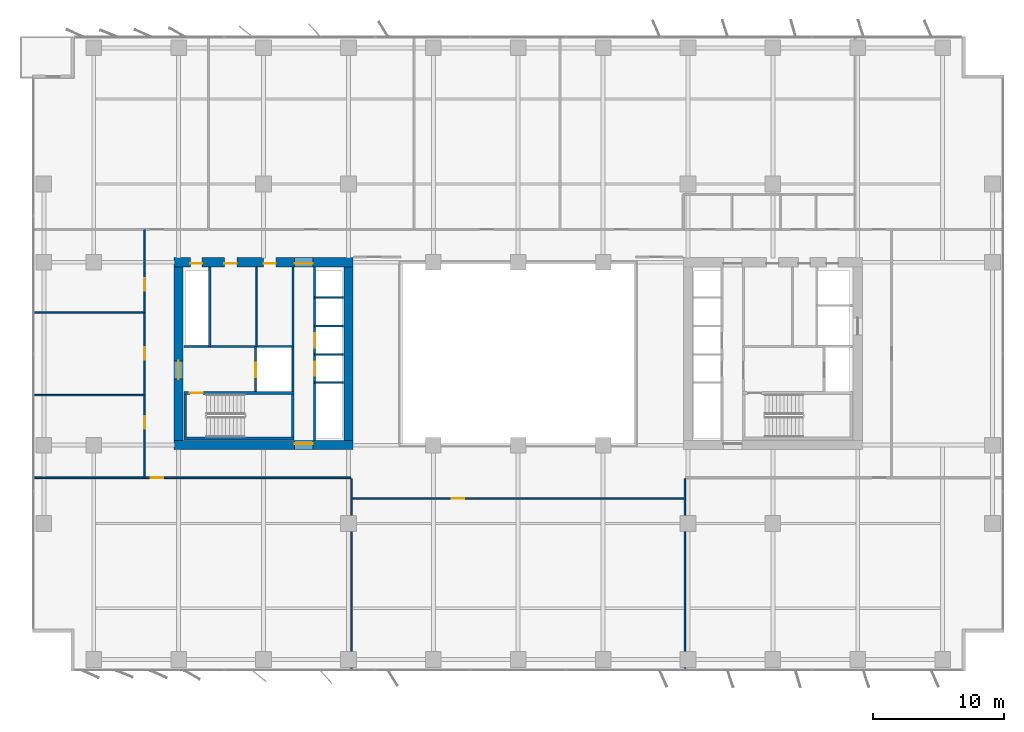
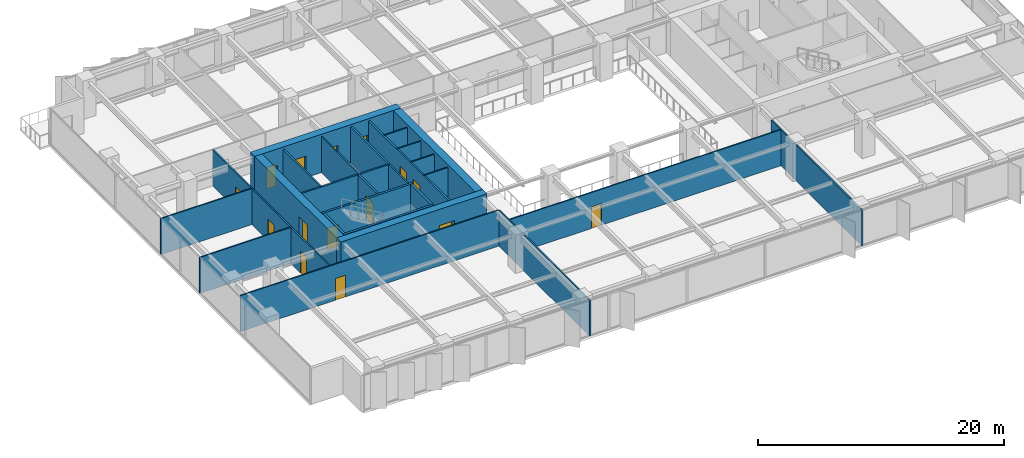
# One storey, part 13 of 20: 28 walls, 15 doors, 15 openings.
"""IFC4 building model written with IfcOpenShell, lengths in metres."""

from ifc_helpers import new_model, si_unit, direction, frame, frame_2d, origin, place, context, subcontext, project, spatial, rectangle, extrude, material, layer, layer_set, type_object, element, fill, save


model = new_model("IFC4")

# Units and contexts
model_context = context("Model", 3, precision=1e-05, world=origin(), true_north=direction((0.0, 1.0)))
body_context = subcontext(model_context, "Body", "Model", "MODEL_VIEW")
ifc_project = project(units=[si_unit("LENGTHUNIT", "METRE"), si_unit("AREAUNIT", "SQUARE_METRE"), si_unit("VOLUMEUNIT", "CUBIC_METRE"), si_unit("PLANEANGLEUNIT", "RADIAN"), si_unit("MASSUNIT", "GRAM", prefix="KILO")], contexts=[model_context])

# Site, building, storey
site_placement = place(None, origin())
site = spatial("IfcSite", under=ifc_project, at=site_placement, CompositionType="ELEMENT")
building_placement = place(site_placement, origin())
building = spatial("IfcBuilding", under=site, at=building_placement, Name="Putna Gate Headquarters", CompositionType="ELEMENT")
storey_placement = place(building_placement, frame((0.0, 0.0, 89.800048828125)))
storey = spatial("IfcBuildingStorey", under=building, at=storey_placement, Name="L21", CompositionType="ELEMENT", Elevation=89.800048828125)

# Wall, opening, door
ifc_material_1 = material(Name="Concrete C60/75", Category="concrete")
ifc_layer_1 = layer(ifc_material_1, 0.699951171875)
ifc_layer_set_1 = layer_set([ifc_layer_1], Name="Concrete C60/75")
wall_type_1 = type_object("IfcWallType", Name="WALL-CORE-700", PredefinedType="SHEAR", material=ifc_layer_set_1)
wall_1_placement = place(storey_placement, frame((12.64990234375, 19.0, 0.0), z_axis=(0.0, 0.0, 1.0), x_axis=(1.0, 0.0, 0.0)))
wall_1 = element("IfcWall", 1, at=wall_1_placement, inside=storey, type_object=wall_type_1, Name="L21 WC Split Core Shear Wall S", PredefinedType="SHEAR", context=body_context, shape_type="SweptSolid", body=[
    extrude(rectangle(XDim=13.7001953125, YDim=0.699951171875, at=frame_2d((6.85009765625, 0.0))), origin(), (0.0, 0.0, 1.0), 3.800048828125),
])
opening_1_placement = place(wall_1_placement, frame((9.22998046875, 0.0, 0.0)))
opening_1 = element("IfcOpeningElement", 2, at=opening_1_placement, cuts=wall_1, Name="Opening FDD-140", PredefinedType="OPENING", context=body_context, shape_type="SweptSolid", body=[
    extrude(rectangle(XDim=1.39990234375, YDim=2.199951171875, at=frame_2d((0.699951171875, 1.10009765625))), frame((0.0, 0.35986328125, 0.0), z_axis=(0.0, -1.0, 0.0), x_axis=(1.0, 0.0, 0.0)), (0.0, 0.0, 1.0), 0.719970703125),
])
ifc_material_2 = material(Name="Double steel fire door", Category="steel")
door_type_1 = type_object("IfcDoorType", Name="DOOR-FIRE-DBL-1400", OperationType="DOUBLE_DOOR_SINGLE_SWING", PredefinedType="DOOR", material=ifc_material_2)
door_1_placement = place(opening_1_placement, origin())
door_1 = element("IfcDoor", 3, at=door_1_placement, inside=storey, type_object=door_type_1, Name="L21 West Lift Lobby South Door", OperationType="DOUBLE_DOOR_SINGLE_SWING", OverallHeight=2.199951171875, OverallWidth=1.39990234375, PredefinedType="DOOR", context=body_context, shape_type="SweptSolid", body=[
    extrude(rectangle(XDim=1.39990234375, YDim=2.199951171875, at=frame_2d((0.699951171875, 1.10009765625))), frame((0.0, 0.125, 0.0), z_axis=(0.0, -1.0, 0.0), x_axis=(1.0, 0.0, 0.0)), (0.0, 0.0, 1.0), 0.050048828125),
])
fill(opening_1, door_1)

# Wall, openings, doors
wall_2_placement = place(storey_placement, frame((12.64990234375, 33.0, 0.0), z_axis=(0.0, 0.0, 1.0), x_axis=(1.0, 0.0, 0.0)))
wall_2 = element("IfcWall", 4, at=wall_2_placement, inside=storey, type_object=wall_type_1, Name="L21 WC Split Core Shear Wall N", PredefinedType="SHEAR", context=body_context, shape_type="SweptSolid", body=[
    extrude(rectangle(XDim=13.7001953125, YDim=0.699951171875, at=frame_2d((6.85009765625, 0.0))), origin(), (0.0, 0.0, 1.0), 3.800048828125),
])
opening_2_placement = place(wall_2_placement, frame((1.25, 0.0, 0.0)))
opening_2 = element("IfcOpeningElement", 5, at=opening_2_placement, cuts=wall_2, Name="Opening RD-90", PredefinedType="OPENING", context=body_context, shape_type="SweptSolid", body=[
    extrude(rectangle(XDim=0.89990234375, YDim=2.14990234375, at=frame_2d((0.449951171875, 1.074951171875))), frame((0.0, 0.35986328125, 0.0), z_axis=(0.0, -1.0, 0.0), x_axis=(1.0, 0.0, 0.0)), (0.0, 0.0, 1.0), 0.719970703125),
])
opening_3_placement = place(wall_2_placement, frame((3.85009765625, 0.0, 0.0)))
opening_3 = element("IfcOpeningElement", 6, at=opening_3_placement, cuts=wall_2, Name="Opening IDS-95", PredefinedType="OPENING", context=body_context, shape_type="SweptSolid", body=[
    extrude(rectangle(XDim=0.949951171875, YDim=2.14990234375, at=frame_2d((0.47509765625, 1.074951171875))), frame((0.0, 0.35986328125, 0.0), z_axis=(0.0, -1.0, 0.0), x_axis=(1.0, 0.0, 0.0)), (0.0, 0.0, 1.0), 0.719970703125),
])
opening_4_placement = place(wall_2_placement, frame((6.85009765625, 0.0, 0.0)))
opening_4 = element("IfcOpeningElement", 7, at=opening_4_placement, cuts=wall_2, Name="Opening IDS-95", PredefinedType="OPENING", context=body_context, shape_type="SweptSolid", body=[
    extrude(rectangle(XDim=0.949951171875, YDim=2.14990234375, at=frame_2d((0.47509765625, 1.074951171875))), frame((0.0, 0.35986328125, 0.0), z_axis=(0.0, -1.0, 0.0), x_axis=(1.0, 0.0, 0.0)), (0.0, 0.0, 1.0), 0.719970703125),
])
opening_5_placement = place(wall_2_placement, frame((9.22998046875, 0.0, 0.0)))
opening_5 = element("IfcOpeningElement", 8, at=opening_5_placement, cuts=wall_2, Name="Opening FDD-140", PredefinedType="OPENING", context=body_context, shape_type="SweptSolid", body=[
    extrude(rectangle(XDim=1.39990234375, YDim=2.199951171875, at=frame_2d((0.699951171875, 1.10009765625))), frame((0.0, 0.35986328125, 0.0), z_axis=(0.0, -1.0, 0.0), x_axis=(1.0, 0.0, 0.0)), (0.0, 0.0, 1.0), 0.719970703125),
])
door_2_placement = place(opening_5_placement, origin())
door_2 = element("IfcDoor", 9, at=door_2_placement, inside=storey, type_object=door_type_1, Name="L21 West Lift Lobby North Door", OperationType="DOUBLE_DOOR_SINGLE_SWING", OverallHeight=2.199951171875, OverallWidth=1.39990234375, PredefinedType="DOOR", context=body_context, shape_type="SweptSolid", body=[
    extrude(rectangle(XDim=1.39990234375, YDim=2.199951171875, at=frame_2d((0.699951171875, 1.10009765625))), frame((0.0, -0.0751953125, 0.0), z_axis=(0.0, -1.0, 0.0), x_axis=(1.0, 0.0, 0.0)), (0.0, 0.0, 1.0), 0.050048828125),
])
fill(opening_5, door_2)
ifc_material_3 = material(Name="Fire-rated service timber door", Category="wood")
door_type_2 = type_object("IfcDoorType", Name="DOOR-INT-950", OperationType="NOTDEFINED", PredefinedType="DOOR", material=ifc_material_3)
door_3_placement = place(opening_3_placement, origin())
door_3 = element("IfcDoor", 10, at=door_3_placement, inside=storey, type_object=door_type_2, Name="L21 Cleaner Store Door", OperationType="SINGLE_SWING_LEFT", OverallHeight=2.14990234375, OverallWidth=0.949951171875, PredefinedType="DOOR", context=body_context, shape_type="SweptSolid", body=[
    extrude(rectangle(XDim=0.949951171875, YDim=2.14990234375, at=frame_2d((0.47509765625, 1.074951171875))), frame((0.0, -0.0751953125, 0.0), z_axis=(0.0, -1.0, 0.0), x_axis=(1.0, 0.0, 0.0)), (0.0, 0.0, 1.0), 0.050048828125),
])
fill(opening_3, door_3)
door_4_placement = place(opening_4_placement, origin())
door_4 = element("IfcDoor", 11, at=door_4_placement, inside=storey, type_object=door_type_2, Name="L21 Comms Plant Door", OperationType="SINGLE_SWING_RIGHT", OverallHeight=2.14990234375, OverallWidth=0.949951171875, PredefinedType="DOOR", context=body_context, shape_type="SweptSolid", body=[
    extrude(rectangle(XDim=0.949951171875, YDim=2.14990234375, at=frame_2d((0.47509765625, 1.074951171875))), frame((0.0, -0.0751953125, 0.0), z_axis=(0.0, -1.0, 0.0), x_axis=(1.0, 0.0, 0.0)), (0.0, 0.0, 1.0), 0.050048828125),
])
fill(opening_4, door_4)
ifc_material_4 = material(Name="Steel riser access fire door", Category="steel")
door_type_3 = type_object("IfcDoorType", Name="DOOR-RISER-900", OperationType="NOTDEFINED", PredefinedType="DOOR", material=ifc_material_4)
door_5_placement = place(opening_2_placement, origin())
door_5 = element("IfcDoor", 12, at=door_5_placement, inside=storey, type_object=door_type_3, Name="L21 West Riser Access Door", OperationType="SINGLE_SWING_RIGHT", OverallHeight=2.14990234375, OverallWidth=0.89990234375, PredefinedType="DOOR", context=body_context, shape_type="SweptSolid", body=[
    extrude(rectangle(XDim=0.89990234375, YDim=2.14990234375, at=frame_2d((0.449951171875, 1.074951171875))), frame((0.0, -0.0751953125, 0.0), z_axis=(0.0, -1.0, 0.0), x_axis=(1.0, 0.0, 0.0)), (0.0, 0.0, 1.0), 0.050048828125),
])
fill(opening_2, door_5)

# Wall, opening, door
wall_3_placement = place(storey_placement, frame((13.0, 19.35009765625, 0.0), z_axis=(0.0, 0.0, 1.0), x_axis=(0.0, 1.0, 0.0)))
wall_3 = element("IfcWall", 13, at=wall_3_placement, inside=storey, type_object=wall_type_1, Name="L21 WC Split Core Shear Wall W", PredefinedType="SHEAR", context=body_context, shape_type="SweptSolid", body=[
    extrude(rectangle(XDim=13.2998046875, YDim=0.699951171875, at=frame_2d((6.64990234375, 0.0))), origin(), (0.0, 0.0, 1.0), 3.800048828125),
])
opening_6_placement = place(wall_3_placement, frame((4.699951171875, 0.0, 0.0)))
opening_6 = element("IfcOpeningElement", 14, at=opening_6_placement, cuts=wall_3, Name="Opening FDD-140", PredefinedType="OPENING", context=body_context, shape_type="SweptSolid", body=[
    extrude(rectangle(XDim=1.39990234375, YDim=2.199951171875, at=frame_2d((0.699951171875, 1.10009765625))), frame((0.0, 0.35986328125, 0.0), z_axis=(0.0, -1.0, 0.0), x_axis=(1.0, 0.0, 0.0)), (0.0, 0.0, 1.0), 0.719970703125),
])
door_6_placement = place(opening_6_placement, origin())
door_6 = element("IfcDoor", 15, at=door_6_placement, inside=storey, type_object=door_type_1, Name="L21 West Firefighting Lobby Door", OperationType="DOUBLE_DOOR_SINGLE_SWING", OverallHeight=2.199951171875, OverallWidth=1.39990234375, PredefinedType="DOOR", context=body_context, shape_type="SweptSolid", body=[
    extrude(rectangle(XDim=1.39990234375, YDim=2.199951171875, at=frame_2d((0.699951171875, 1.10009765625))), frame((0.0, 0.02490234375, 0.0), z_axis=(0.0, -1.0, 0.0), x_axis=(1.0, 0.0, 0.0)), (0.0, 0.0, 1.0), 0.050048828125),
])
fill(opening_6, door_6)

# Walls
wall_4_placement = place(storey_placement, frame((26.0, 19.35009765625, 0.0), z_axis=(0.0, 0.0, 1.0), x_axis=(0.0, 1.0, 0.0)))
element("IfcWall", 16, at=wall_4_placement, inside=storey, type_object=wall_type_1, Name="L21 WC Split Core Shear Wall E", PredefinedType="SHEAR", context=body_context, shape_type="SweptSolid", body=[
    extrude(rectangle(XDim=13.2998046875, YDim=0.699951171875, at=frame_2d((6.64990234375, 0.0))), origin(), (0.0, 0.0, 1.0), 3.800048828125),
])
ifc_material_5 = material(Name="Acoustic gypsum board on metal stud")
ifc_layer_2 = layer(ifc_material_5, 0.1201171875)
ifc_layer_set_2 = layer_set([ifc_layer_2], Name="Acoustic gypsum board on metal stud")
wall_type_2 = type_object("IfcWallType", Name="WALL-PART-120", PredefinedType="PARTITIONING", material=ifc_layer_set_2)
for number, where, z_axis, x_axis, name in (
    (17, (26.242919921875, 1.719970703125, 0.0), (0.0, 0.0, 1.0), (0.0, 1.0, 0.0), "L21 Interior Wall PART-L21-SB-DIV-01"),
    (18, (51.757080078125, 1.719970703125, 0.0), (0.0, 0.0, 1.0), (0.0, 1.0, 0.0), "L21 Interior Wall PART-L21-SB-DIV-02"),
):
    element("IfcWall", number, at=place(storey_placement, frame(where, z_axis=z_axis, x_axis=x_axis)), inside=storey, type_object=wall_type_2, Name=name, PredefinedType="PARTITIONING", context=body_context, shape_type="SweptSolid", body=[
        extrude(rectangle(XDim=14.719970703125, YDim=0.1201171875, at=frame_2d((7.35986328125, 0.0))), origin(), (0.0, 0.0, 1.0), 3.56494140625),
    ])
for number, where, z_axis, x_axis, name in (
    (19, (1.820068359375, 22.833251953125, 0.0), (0.0, 0.0, 1.0), (1.0, 0.0, 0.0), "L21 Interior Wall PART-L21-WW-DIV-1"),
    (20, (1.820068359375, 29.166748046875, 0.0), (0.0, 0.0, 1.0), (1.0, 0.0, 0.0), "L21 Interior Wall PART-L21-WW-DIV-2"),
):
    element("IfcWall", number, at=place(storey_placement, frame(where, z_axis=z_axis, x_axis=x_axis)), inside=storey, type_object=wall_type_2, Name=name, PredefinedType="PARTITIONING", context=body_context, shape_type="SweptSolid", body=[
        extrude(rectangle(XDim=8.579833984375, YDim=0.1201171875, at=frame_2d((4.2900390625, 0.0))), origin(), (0.0, 0.0, 1.0), 3.56494140625),
    ])
ifc_material_6 = material(Name="Fire-rated shaftwall gypsum board on metal stud")
ifc_layer_3 = layer(ifc_material_6, 0.1201171875)
ifc_layer_set_3 = layer_set([ifc_layer_3], Name="Fire-rated shaftwall gypsum board on metal stud")
wall_type_3 = type_object("IfcWallType", Name="WALL-PART-120-EI120", PredefinedType="PARTITIONING", material=ifc_layer_set_3)
for number, where, z_axis, x_axis, name in (
    (21, (23.39990234375, 23.780029296875, 0.0), (0.0, 0.0, 1.0), (1.0, 0.0, 0.0), "L21 Interior Wall CWINT-L21-WC-LF02-DIV"),
    (22, (23.39990234375, 25.949951171875, 0.0), (0.0, 0.0, 1.0), (1.0, 0.0, 0.0), "L21 Interior Wall CWINT-L21-WC-LF05-DIV"),
    (23, (23.39990234375, 28.1201171875, 0.0), (0.0, 0.0, 1.0), (1.0, 0.0, 0.0), "L21 Interior Wall CWINT-L21-WC-LF06-DIV"),
    (24, (23.39990234375, 30.31005859375, 0.0), (0.0, 0.0, 1.0), (1.0, 0.0, 0.0), "L21 Interior Wall CWINT-L21-WC-LF09-DIV"),
):
    element("IfcWall", number, at=place(storey_placement, frame(where, z_axis=z_axis, x_axis=x_axis)), inside=storey, type_object=wall_type_3, Name=name, PredefinedType="PARTITIONING", context=body_context, shape_type="SweptSolid", body=[
        extrude(rectangle(XDim=2.2001953125, YDim=0.1201171875, at=frame_2d((1.10009765625, 0.0))), origin(), (0.0, 0.0, 1.0), 3.56494140625),
    ])
ifc_material_7 = material(Name="Fire-rated gypsum board on metal stud")
ifc_layer_4 = layer(ifc_material_7, 0.1201171875)
ifc_layer_set_4 = layer_set([ifc_layer_4], Name="Fire-rated gypsum board on metal stud")
wall_type_4 = type_object("IfcWallType", Name="WALL-PART-120-RATED", PredefinedType="PARTITIONING", material=ifc_layer_set_4)
wall_5_placement = place(storey_placement, frame((18.969970703125, 26.56005859375, 0.0), z_axis=(0.0, 0.0, 1.0), x_axis=(0.0, 1.0, 0.0)))
element("IfcWall", 25, at=wall_5_placement, inside=storey, type_object=wall_type_4, Name="L21 Interior Wall CWINT-L21-WC-K0-DIV", PredefinedType="PARTITIONING", context=body_context, shape_type="SweptSolid", body=[
    extrude(rectangle(XDim=6.08984375, YDim=0.1201171875, at=frame_2d((3.044921875, 0.0))), origin(), (0.0, 0.0, 1.0), 3.56494140625),
])

# Wall, opening, door
wall_6_placement = place(storey_placement, frame((1.97998046875, 16.5, 0.0), z_axis=(0.0, 0.0, 1.0), x_axis=(1.0, 0.0, 0.0)))
wall_6 = element("IfcWall", 26, at=wall_6_placement, inside=storey, type_object=wall_type_4, Name="L21 Interior Wall PART-L21-SB-CW-01", PredefinedType="PARTITIONING", context=body_context, shape_type="SweptSolid", body=[
    extrude(rectangle(XDim=24.202880859375, YDim=0.1201171875, at=frame_2d((12.1015625, 0.0))), origin(), (0.0, 0.0, 1.0), 3.56494140625),
])
opening_7_placement = place(wall_6_placement, frame((8.89990234375, 0.0, 0.0)))
opening_7 = element("IfcOpeningElement", 27, at=opening_7_placement, cuts=wall_6, Name="Opening FD-95", PredefinedType="OPENING", context=body_context, shape_type="SweptSolid", body=[
    extrude(rectangle(XDim=0.949951171875, YDim=2.14990234375, at=frame_2d((0.47509765625, 1.074951171875))), frame((0.0, 0.070068359375, 0.0), z_axis=(0.0, -1.0, 0.0), x_axis=(1.0, 0.0, 0.0)), (0.0, 0.0, 1.0), 0.14013671875),
])
ifc_material_8 = material(Name="Acoustic timber fire door", Category="wood")
door_type_4 = type_object("IfcDoorType", Name="DOOR-FIRE-950", OperationType="NOTDEFINED", PredefinedType="DOOR", material=ifc_material_8)
door_7_placement = place(opening_7_placement, origin())
door_7 = element("IfcDoor", 28, at=door_7_placement, inside=storey, type_object=door_type_4, Name="L21 Collaborative Breakout Lounge 2 Door", OperationType="SINGLE_SWING_RIGHT", OverallHeight=2.14990234375, OverallWidth=0.949951171875, PredefinedType="DOOR", context=body_context, shape_type="SweptSolid", body=[
    extrude(rectangle(XDim=0.949951171875, YDim=2.14990234375, at=frame_2d((0.47509765625, 1.074951171875))), frame((0.0, 0.02490234375, 0.0), z_axis=(0.0, -1.0, 0.0), x_axis=(1.0, 0.0, 0.0)), (0.0, 0.0, 1.0), 0.050048828125),
])
fill(opening_7, door_7)

wall_7_placement = place(storey_placement, frame((26.302978515625, 14.89990234375, 0.0), z_axis=(0.0, 0.0, 1.0), x_axis=(1.0, 0.0, 0.0)))
wall_7 = element("IfcWall", 29, at=wall_7_placement, inside=storey, type_object=wall_type_4, Name="L21 Interior Wall PART-L21-SB-CW-02", PredefinedType="PARTITIONING", context=body_context, shape_type="SweptSolid", body=[
    extrude(rectangle(XDim=25.39404296875, YDim=0.1201171875, at=frame_2d((12.697021484375, 0.0))), origin(), (0.0, 0.0, 1.0), 3.56494140625),
])
opening_8_placement = place(wall_7_placement, frame((7.618408203125, 0.0, 0.0)))
opening_8 = element("IfcOpeningElement", 30, at=opening_8_placement, cuts=wall_7, Name="Opening FD-95", PredefinedType="OPENING", context=body_context, shape_type="SweptSolid", body=[
    extrude(rectangle(XDim=0.949951171875, YDim=2.14990234375, at=frame_2d((0.47509765625, 1.074951171875))), frame((0.0, 0.070068359375, 0.0), z_axis=(0.0, -1.0, 0.0), x_axis=(1.0, 0.0, 0.0)), (0.0, 0.0, 1.0), 0.14013671875),
])
door_8_placement = place(opening_8_placement, origin())
door_8 = element("IfcDoor", 31, at=door_8_placement, inside=storey, type_object=door_type_4, Name="L21 Cellular Office 1 Door", OperationType="SINGLE_SWING_LEFT", OverallHeight=2.14990234375, OverallWidth=0.949951171875, PredefinedType="DOOR", context=body_context, shape_type="SweptSolid", body=[
    extrude(rectangle(XDim=0.949951171875, YDim=2.14990234375, at=frame_2d((0.47509765625, 1.074951171875))), frame((0.0, 0.02490234375, 0.0), z_axis=(0.0, -1.0, 0.0), x_axis=(1.0, 0.0, 0.0)), (0.0, 0.0, 1.0), 0.050048828125),
])
fill(opening_8, door_8)

wall_8_placement = place(storey_placement, frame((10.39990234375, 16.5, 0.0), z_axis=(0.0, 0.0, 1.0), x_axis=(0.0, 1.0, 0.0)))
wall_8 = element("IfcWall", 32, at=wall_8_placement, inside=storey, type_object=wall_type_4, Name="L21 Interior Wall PART-L21-WW-CW-1", PredefinedType="PARTITIONING", context=body_context, shape_type="SweptSolid", body=[
    extrude(rectangle(XDim=6.333251953125, YDim=0.1201171875, at=frame_2d((3.16650390625, 0.0))), origin(), (0.0, 0.0, 1.0), 3.56494140625),
])
opening_9_placement = place(wall_8_placement, frame((3.74169921875, 0.0, 0.0)))
opening_9 = element("IfcOpeningElement", 33, at=opening_9_placement, cuts=wall_8, Name="Opening FD-95", PredefinedType="OPENING", context=body_context, shape_type="SweptSolid", body=[
    extrude(rectangle(XDim=0.949951171875, YDim=2.14990234375, at=frame_2d((0.47509765625, 1.074951171875))), frame((0.0, 0.070068359375, 0.0), z_axis=(0.0, -1.0, 0.0), x_axis=(1.0, 0.0, 0.0)), (0.0, 0.0, 1.0), 0.14013671875),
])
door_9_placement = place(opening_9_placement, origin())
door_9 = element("IfcDoor", 34, at=door_9_placement, inside=storey, type_object=door_type_4, Name="L21 West Executive Office 1 Door", OperationType="SINGLE_SWING_LEFT", OverallHeight=2.14990234375, OverallWidth=0.949951171875, PredefinedType="DOOR", context=body_context, shape_type="SweptSolid", body=[
    extrude(rectangle(XDim=0.949951171875, YDim=2.14990234375, at=frame_2d((0.47509765625, 1.074951171875))), frame((0.0, 0.02490234375, 0.0), z_axis=(0.0, -1.0, 0.0), x_axis=(1.0, 0.0, 0.0)), (0.0, 0.0, 1.0), 0.050048828125),
])
fill(opening_9, door_9)

wall_9_placement = place(storey_placement, frame((10.39990234375, 22.833251953125, 0.0), z_axis=(0.0, 0.0, 1.0), x_axis=(0.0, 1.0, 0.0)))
wall_9 = element("IfcWall", 35, at=wall_9_placement, inside=storey, type_object=wall_type_4, Name="L21 Interior Wall PART-L21-WW-CW-2", PredefinedType="PARTITIONING", context=body_context, shape_type="SweptSolid", body=[
    extrude(rectangle(XDim=6.33349609375, YDim=0.1201171875, at=frame_2d((3.166748046875, 0.0))), origin(), (0.0, 0.0, 1.0), 3.56494140625),
])
opening_10_placement = place(wall_9_placement, frame((2.691650390625, 0.0, 0.0)))
opening_10 = element("IfcOpeningElement", 36, at=opening_10_placement, cuts=wall_9, Name="Opening FD-95", PredefinedType="OPENING", context=body_context, shape_type="SweptSolid", body=[
    extrude(rectangle(XDim=0.949951171875, YDim=2.14990234375, at=frame_2d((0.47509765625, 1.074951171875))), frame((0.0, 0.070068359375, 0.0), z_axis=(0.0, -1.0, 0.0), x_axis=(1.0, 0.0, 0.0)), (0.0, 0.0, 1.0), 0.14013671875),
])
door_10_placement = place(opening_10_placement, origin())
door_10 = element("IfcDoor", 37, at=door_10_placement, inside=storey, type_object=door_type_4, Name="L21 West Executive Office 2 Door", OperationType="SINGLE_SWING_RIGHT", OverallHeight=2.14990234375, OverallWidth=0.949951171875, PredefinedType="DOOR", context=body_context, shape_type="SweptSolid", body=[
    extrude(rectangle(XDim=0.949951171875, YDim=2.14990234375, at=frame_2d((0.47509765625, 1.074951171875))), frame((0.0, 0.02490234375, 0.0), z_axis=(0.0, -1.0, 0.0), x_axis=(1.0, 0.0, 0.0)), (0.0, 0.0, 1.0), 0.050048828125),
])
fill(opening_10, door_10)

wall_10_placement = place(storey_placement, frame((10.39990234375, 29.166748046875, 0.0), z_axis=(0.0, 0.0, 1.0), x_axis=(0.0, 1.0, 0.0)))
wall_10 = element("IfcWall", 38, at=wall_10_placement, inside=storey, type_object=wall_type_4, Name="L21 Interior Wall PART-L21-WW-CW-3", PredefinedType="PARTITIONING", context=body_context, shape_type="SweptSolid", body=[
    extrude(rectangle(XDim=6.333251953125, YDim=0.1201171875, at=frame_2d((3.16650390625, 0.0))), origin(), (0.0, 0.0, 1.0), 3.56494140625),
])
opening_11_placement = place(wall_10_placement, frame((1.6416015625, 0.0, 0.0)))
opening_11 = element("IfcOpeningElement", 39, at=opening_11_placement, cuts=wall_10, Name="Opening FD-95", PredefinedType="OPENING", context=body_context, shape_type="SweptSolid", body=[
    extrude(rectangle(XDim=0.949951171875, YDim=2.14990234375, at=frame_2d((0.47509765625, 1.074951171875))), frame((0.0, 0.070068359375, 0.0), z_axis=(0.0, -1.0, 0.0), x_axis=(1.0, 0.0, 0.0)), (0.0, 0.0, 1.0), 0.14013671875),
])
door_11_placement = place(opening_11_placement, origin())
door_11 = element("IfcDoor", 40, at=door_11_placement, inside=storey, type_object=door_type_4, Name="L21 West Project Meeting Room 3 Door", OperationType="SINGLE_SWING_LEFT", OverallHeight=2.14990234375, OverallWidth=0.949951171875, PredefinedType="DOOR", context=body_context, shape_type="SweptSolid", body=[
    extrude(rectangle(XDim=0.949951171875, YDim=2.14990234375, at=frame_2d((0.47509765625, 1.074951171875))), frame((0.0, 0.02490234375, 0.0), z_axis=(0.0, -1.0, 0.0), x_axis=(1.0, 0.0, 0.0)), (0.0, 0.0, 1.0), 0.050048828125),
])
fill(opening_11, door_11)

# Wall
ifc_material_9 = material(Name="Concrete C40/50", Category="concrete")
ifc_layer_5 = layer(ifc_material_9, 0.159912109375)
ifc_layer_set_5 = layer_set([ifc_layer_5], Name="Concrete C40/50")
wall_type_5 = type_object("IfcWallType", Name="WALL-SHAFT-160", PredefinedType="STANDARD", material=ifc_layer_set_5)
wall_11_placement = place(storey_placement, frame((21.739990234375, 23.090087890625, 0.0), z_axis=(0.0, 0.0, 1.0), x_axis=(0.0, 1.0, 0.0)))
element("IfcWall", 41, at=wall_11_placement, inside=storey, type_object=wall_type_5, Name="L21 Interior Wall CWINT-L21-WC-FFL-E", PredefinedType="STANDARD", context=body_context, shape_type="SweptSolid", body=[
    extrude(rectangle(XDim=3.469970703125, YDim=0.159912109375, at=frame_2d((1.73486328125, 0.0))), origin(), (0.0, 0.0, 1.0), 3.56494140625),
])

# Wall, opening, door
wall_12_placement = place(storey_placement, frame((18.8798828125, 23.090087890625, 0.0), z_axis=(0.0, 0.0, 1.0), x_axis=(0.0, 1.0, 0.0)))
wall_12 = element("IfcWall", 42, at=wall_12_placement, inside=storey, type_object=wall_type_5, Name="L21 Interior Wall CWINT-L21-WC-LF13-W", PredefinedType="STANDARD", context=body_context, shape_type="SweptSolid", body=[
    extrude(rectangle(XDim=3.469970703125, YDim=0.159912109375, at=frame_2d((1.73486328125, 0.0))), origin(), (0.0, 0.0, 1.0), 3.56494140625),
])
opening_12_placement = place(wall_12_placement, frame((1.10009765625, 0.0, 0.0)))
opening_12 = element("IfcOpeningElement", 43, at=opening_12_placement, cuts=wall_12, Name="Opening LD-1", PredefinedType="OPENING", context=body_context, shape_type="SweptSolid", body=[
    extrude(rectangle(XDim=1.10009765625, YDim=2.199951171875, at=frame_2d((0.550048828125, 1.10009765625))), frame((0.0, 0.08984375, 0.0), z_axis=(0.0, -1.0, 0.0), x_axis=(1.0, 0.0, 0.0)), (0.0, 0.0, 1.0), 0.179931640625),
])
ifc_material_10 = material(Name="Brushed bronze stainless lift landing door")
door_type_5 = type_object("IfcDoorType", Name="DOOR-LIFT-1100", OperationType="DOUBLE_DOOR_SLIDING", PredefinedType="DOOR", material=ifc_material_10)
door_12_placement = place(opening_12_placement, origin())
door_12 = element("IfcDoor", 44, at=door_12_placement, inside=storey, type_object=door_type_5, Name="L21 Lift Landing Door LD-13", OperationType="DOUBLE_DOOR_SLIDING", OverallHeight=2.199951171875, OverallWidth=1.10009765625, PredefinedType="DOOR", context=body_context, shape_type="SweptSolid", body=[
    extrude(rectangle(XDim=1.10009765625, YDim=2.199951171875, at=frame_2d((0.550048828125, 1.10009765625))), frame((0.0, 0.02490234375, 0.0), z_axis=(0.0, -1.0, 0.0), x_axis=(1.0, 0.0, 0.0)), (0.0, 0.0, 1.0), 0.050048828125),
])
fill(opening_12, door_12)

# Walls
wall_13_placement = place(storey_placement, frame((13.39990234375, 26.56005859375, 0.0), z_axis=(0.0, 0.0, 1.0), x_axis=(1.0, 0.0, 0.0)))
element("IfcWall", 45, at=wall_13_placement, inside=storey, type_object=wall_type_5, Name="L21 Interior Wall CWINT-L21-WC-FFL-N", PredefinedType="STANDARD", context=body_context, shape_type="SweptSolid", body=[
    extrude(rectangle(XDim=8.340087890625, YDim=0.159912109375, at=frame_2d((4.169921875, 0.0))), origin(), (0.0, 0.0, 1.0), 3.56494140625),
])
for number, where, z_axis, x_axis, name in (
    (46, (15.3798828125, 26.56005859375, 0.0), (0.0, 0.0, 1.0), (0.0, 1.0, 0.0), "L21 Interior Wall CWINT-L21-WC-RISER-E"),
    (47, (21.739990234375, 26.56005859375, 0.0), (0.0, 0.0, 1.0), (0.0, 1.0, 0.0), "L21 Interior Wall CWINT-L21-WC-LOB-W"),
):
    element("IfcWall", number, at=place(storey_placement, frame(where, z_axis=z_axis, x_axis=x_axis)), inside=storey, type_object=wall_type_5, Name=name, PredefinedType="STANDARD", context=body_context, shape_type="SweptSolid", body=[
        extrude(rectangle(XDim=6.08984375, YDim=0.159912109375, at=frame_2d((3.044921875, 0.0))), origin(), (0.0, 0.0, 1.0), 3.56494140625),
    ])

# Wall, openings, doors
wall_14_placement = place(storey_placement, frame((23.39990234375, 19.35009765625, 0.0), z_axis=(0.0, 0.0, 1.0), x_axis=(0.0, 1.0, 0.0)))
wall_14 = element("IfcWall", 48, at=wall_14_placement, inside=storey, type_object=wall_type_5, Name="L21 Interior Wall CWINT-L21-WC-PL-WALL", PredefinedType="STANDARD", context=body_context, shape_type="SweptSolid", body=[
    extrude(rectangle(XDim=13.2998046875, YDim=0.159912109375, at=frame_2d((6.64990234375, 0.0))), origin(), (0.0, 0.0, 1.0), 3.56494140625),
])
opening_13_placement = place(wall_14_placement, frame((4.949951171875, 0.0, 0.0)))
opening_13 = element("IfcOpeningElement", 49, at=opening_13_placement, cuts=wall_14, Name="Opening LD-1", PredefinedType="OPENING", context=body_context, shape_type="SweptSolid", body=[
    extrude(rectangle(XDim=1.10009765625, YDim=2.199951171875, at=frame_2d((0.550048828125, 1.10009765625))), frame((0.0, 0.08984375, 0.0), z_axis=(0.0, -1.0, 0.0), x_axis=(1.0, 0.0, 0.0)), (0.0, 0.0, 1.0), 0.179931640625),
])
opening_14_placement = place(wall_14_placement, frame((7.10009765625, 0.0, 0.0)))
opening_14 = element("IfcOpeningElement", 50, at=opening_14_placement, cuts=wall_14, Name="Opening LD-1", PredefinedType="OPENING", context=body_context, shape_type="SweptSolid", body=[
    extrude(rectangle(XDim=1.10009765625, YDim=2.199951171875, at=frame_2d((0.550048828125, 1.10009765625))), frame((0.0, 0.08984375, 0.0), z_axis=(0.0, -1.0, 0.0), x_axis=(1.0, 0.0, 0.0)), (0.0, 0.0, 1.0), 0.179931640625),
])
door_13_placement = place(opening_13_placement, origin())
door_13 = element("IfcDoor", 51, at=door_13_placement, inside=storey, type_object=door_type_5, Name="L21 Lift Landing Door LD-05", OperationType="DOUBLE_DOOR_SLIDING", OverallHeight=2.199951171875, OverallWidth=1.10009765625, PredefinedType="DOOR", context=body_context, shape_type="SweptSolid", body=[
    extrude(rectangle(XDim=1.10009765625, YDim=2.199951171875, at=frame_2d((0.550048828125, 1.10009765625))), frame((0.0, 0.02490234375, 0.0), z_axis=(0.0, -1.0, 0.0), x_axis=(1.0, 0.0, 0.0)), (0.0, 0.0, 1.0), 0.050048828125),
])
fill(opening_13, door_13)
door_14_placement = place(opening_14_placement, origin())
door_14 = element("IfcDoor", 52, at=door_14_placement, inside=storey, type_object=door_type_5, Name="L21 Lift Landing Door LD-06", OperationType="DOUBLE_DOOR_SLIDING", OverallHeight=2.199951171875, OverallWidth=1.10009765625, PredefinedType="DOOR", context=body_context, shape_type="SweptSolid", body=[
    extrude(rectangle(XDim=1.10009765625, YDim=2.199951171875, at=frame_2d((0.550048828125, 1.10009765625))), frame((0.0, 0.02490234375, 0.0), z_axis=(0.0, -1.0, 0.0), x_axis=(1.0, 0.0, 0.0)), (0.0, 0.0, 1.0), 0.050048828125),
])
fill(opening_14, door_14)

# Wall
ifc_layer_6 = layer(ifc_material_9, 0.199951171875)
ifc_layer_set_6 = layer_set([ifc_layer_6], Name="Concrete C40/50")
wall_type_6 = type_object("IfcWallType", Name="WALL-SHAFT-RC200", PredefinedType="SHEAR", material=ifc_layer_set_6)
wall_15_placement = place(storey_placement, frame((13.409912109375, 19.510009765625, 0.0), z_axis=(0.0, 0.0, 1.0), x_axis=(1.0, 0.0, 0.0)))
element("IfcWall", 53, at=wall_15_placement, inside=storey, type_object=wall_type_6, Name="L21 Stair ST1 Structural Shaft Wall S", PredefinedType="SHEAR", context=body_context, shape_type="SweptSolid", body=[
    extrude(rectangle(XDim=8.43017578125, YDim=0.199951171875, at=frame_2d((4.215087890625, 0.0))), origin(), (0.0, 0.0, 1.0), 3.800048828125),
])

# Wall, opening, door
wall_16_placement = place(storey_placement, frame((13.409912109375, 22.989990234375, 0.0), z_axis=(0.0, 0.0, 1.0), x_axis=(1.0, 0.0, 0.0)))
wall_16 = element("IfcWall", 54, at=wall_16_placement, inside=storey, type_object=wall_type_6, Name="L21 Stair ST1 Structural Shaft Wall N", PredefinedType="SHEAR", context=body_context, shape_type="SweptSolid", body=[
    extrude(rectangle(XDim=8.43017578125, YDim=0.199951171875, at=frame_2d((4.215087890625, 0.0))), origin(), (0.0, 0.0, 1.0), 3.800048828125),
])
opening_15_placement = place(wall_16_placement, frame((0.449951171875, 0.0, 0.0)))
opening_15 = element("IfcOpeningElement", 55, at=opening_15_placement, cuts=wall_16, Name="Opening FD-100", PredefinedType="OPENING", context=body_context, shape_type="SweptSolid", body=[
    extrude(rectangle(XDim=1.0, YDim=2.14990234375, at=frame_2d((0.5, 1.074951171875))), frame((0.0, 0.10986328125, 0.0), z_axis=(0.0, -1.0, 0.0), x_axis=(1.0, 0.0, 0.0)), (0.0, 0.0, 1.0), 0.219970703125),
])
ifc_material_11 = material(Name="Powder-coated steel fire door", Category="steel")
door_type_6 = type_object("IfcDoorType", Name="DOOR-FIRE-1000", OperationType="NOTDEFINED", PredefinedType="DOOR", material=ifc_material_11)
door_15_placement = place(opening_15_placement, origin())
door_15 = element("IfcDoor", 56, at=door_15_placement, inside=storey, type_object=door_type_6, Name="L21 Stair ST1 Fire Door", OperationType="SINGLE_SWING_LEFT", OverallHeight=2.14990234375, OverallWidth=1.0, PredefinedType="DOOR", context=body_context, shape_type="SweptSolid", body=[
    extrude(rectangle(XDim=1.0, YDim=2.14990234375, at=frame_2d((0.5, 1.074951171875))), frame((0.0, 0.02490234375, 0.0), z_axis=(0.0, -1.0, 0.0), x_axis=(1.0, 0.0, 0.0)), (0.0, 0.0, 1.0), 0.050048828125),
])
fill(opening_15, door_15)

# Walls
for number, where, z_axis, x_axis, name in (
    (57, (13.510009765625, 19.610107421875, 0.0), (0.0, 0.0, 1.0), (0.0, 1.0, 0.0), "L21 Stair ST1 Structural Shaft Wall W"),
    (58, (21.739990234375, 19.610107421875, 0.0), (0.0, 0.0, 1.0), (0.0, 1.0, 0.0), "L21 Stair ST1 Structural Shaft Wall E"),
):
    element("IfcWall", number, at=place(storey_placement, frame(where, z_axis=z_axis, x_axis=x_axis)), inside=storey, type_object=wall_type_6, Name=name, PredefinedType="SHEAR", context=body_context, shape_type="SweptSolid", body=[
        extrude(rectangle(XDim=3.27978515625, YDim=0.199951171875, at=frame_2d((1.639892578125, 0.0))), origin(), (0.0, 0.0, 1.0), 3.800048828125),
    ])

save(model, "model.ifc")
